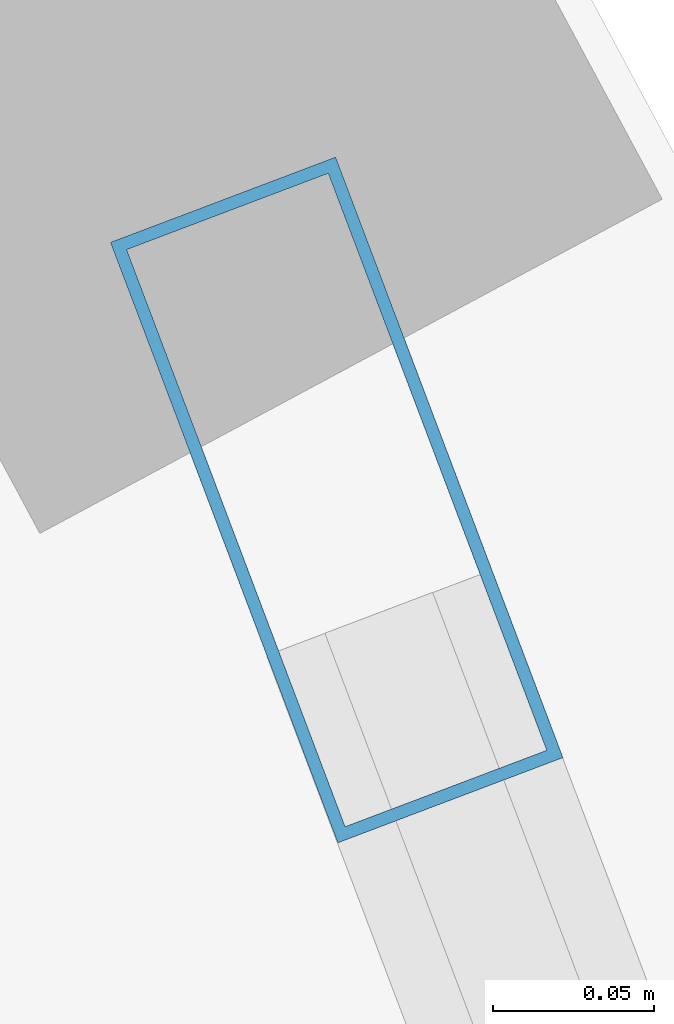
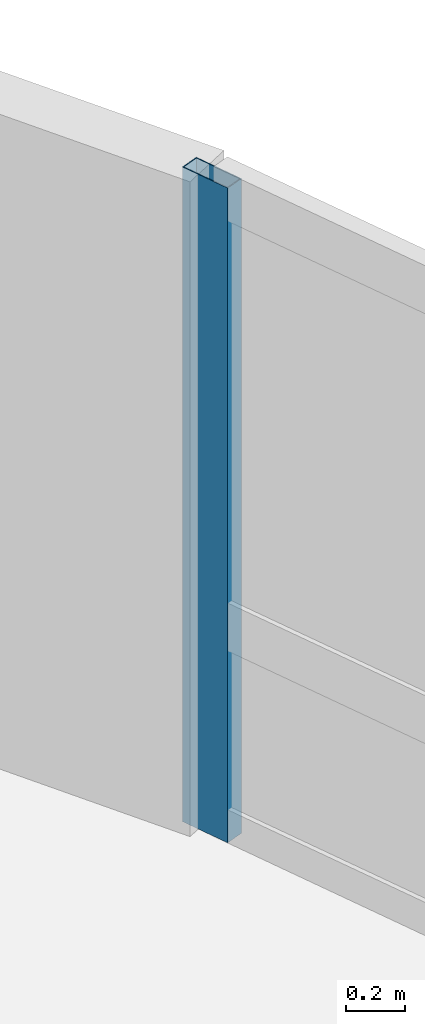
# One storey, part 10 of 19: 1 member, 1 element without a shape of its own.
"""IFC4 building model written with IfcOpenShell, lengths in metres."""

from ifc_helpers import new_model, si_unit, direction, frame, origin, origin_2d, place, context, subcontext, project, spatial, hollow_rectangle, extrude, material, layer, layer_set, material_profile, profile_set, type_object, element, aggregate, save


model = new_model("IFC4")

# Units and contexts
model_context = context("Model", 3, precision=1e-05, world=origin(), true_north=direction((0.0, 1.0)))
body_context = subcontext(model_context, "Body", "Model", "MODEL_VIEW")
ifc_project = project(units=[si_unit("LENGTHUNIT", "METRE"), si_unit("AREAUNIT", "SQUARE_METRE"), si_unit("VOLUMEUNIT", "CUBIC_METRE"), si_unit("PLANEANGLEUNIT", "RADIAN"), si_unit("MASSUNIT", "GRAM", prefix="KILO")], contexts=[model_context])

# Site, building, storey
site_placement = place(None, origin())
site = spatial("IfcSite", under=ifc_project, at=site_placement, CompositionType="ELEMENT")
building_placement = place(site_placement, origin())
building = spatial("IfcBuilding", under=site, at=building_placement, Name="Varnelok Gate Tower", CompositionType="ELEMENT")
storey_placement = place(building_placement, frame((0.0, 0.0, 246.0)))
storey = spatial("IfcBuildingStorey", under=building, at=storey_placement, Name="L63", CompositionType="ELEMENT", Elevation=246.0)

# Curtain wall, member
ifc_material = material(Name="Anodized Aluminum Alloy 6063-T6", Category="aluminium")
ifc_layer = layer(ifc_material, 0.179931640625)
ifc_layer_set = layer_set([ifc_layer], Name="Anodized Aluminum Alloy 6063-T6")
curtain_wall_type = type_object("IfcCurtainWallType", Name="CW4-RESIDENCE-VISION", PredefinedType="USERDEFINED", material=ifc_layer_set)
curtain_wall_placement = place(storey_placement, origin())
curtain_wall = element("IfcCurtainWall", 1, at=curtain_wall_placement, inside=storey, type_object=curtain_wall_type, Name="L63 East End Vision Curtain Wall", ObjectType="UNITISED CURTAIN WALL", PredefinedType="USERDEFINED")
ifc_material_profile = material_profile(ifc_material, hollow_rectangle(XDim=0.074951171875, YDim=0.199951171875, WallThickness=0.00390625, at=origin_2d()), Name="ALU200X75X4")
ifc_profile_set = profile_set([ifc_material_profile], Name="Anodized Aluminum Alloy 6063-T6")
member_type = type_object("IfcMemberType", Name="CW-MULL-200", PredefinedType="MULLION", material=ifc_profile_set)
member_placement = place(storey_placement, frame((64.514892578125, 51.5244140625, 0.0), z_axis=(0.0, 0.0, 1.0), x_axis=(0.935221557832, 0.354063042079, 0.0)))
member = element("IfcMember", 2, at=member_placement, type_object=member_type, Name="CW4 mullion 1", PredefinedType="MULLION", context=body_context, shape_type="SweptSolid", body=[
    extrude(hollow_rectangle(XDim=0.074951171875, YDim=0.199951171875, WallThickness=0.00390625, at=origin_2d()), origin(), (0.0, 0.0, 1.0), 2.72998046875),
])
aggregate(curtain_wall, [member])

save(model, "model.ifc")
